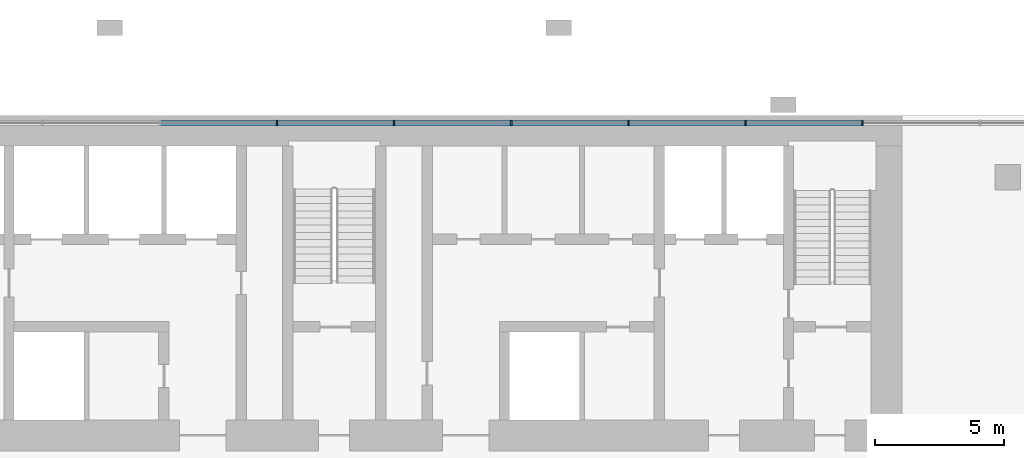
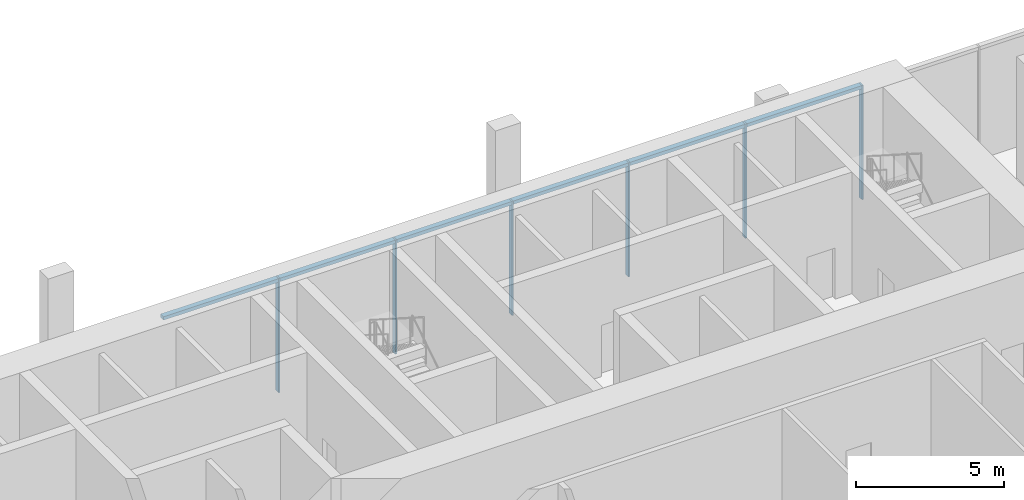
# One storey, part 6 of 20: 12 members, 1 element without a shape of its own.
"""IFC4 building model written with IfcOpenShell, lengths in metres."""

from ifc_helpers import new_model, si_unit, direction, frame, origin, origin_2d, place, context, subcontext, project, spatial, rectangle, extrude, material, material_profile, profile_set, type_object, element, aggregate, save


model = new_model("IFC4")

# Units and contexts
model_context = context("Model", 3, precision=1e-05, world=origin(), true_north=direction((0.0, 1.0)))
body_context = subcontext(model_context, "Body", "Model", "MODEL_VIEW")
ifc_project = project(units=[si_unit("LENGTHUNIT", "METRE"), si_unit("AREAUNIT", "SQUARE_METRE"), si_unit("VOLUMEUNIT", "CUBIC_METRE"), si_unit("PLANEANGLEUNIT", "RADIAN"), si_unit("MASSUNIT", "GRAM", prefix="KILO")], contexts=[model_context])

# Site, building, storey
site_placement = place(None, origin())
site = spatial("IfcSite", under=ifc_project, at=site_placement, CompositionType="ELEMENT")
building_placement = place(site_placement, origin())
building = spatial("IfcBuilding", under=site, at=building_placement, Name="Bicima Exchange Tower", CompositionType="ELEMENT")
storey_placement = place(building_placement, frame((0.0, 0.0, 25.0)))
storey = spatial("IfcBuildingStorey", under=building, at=storey_placement, Name="L04", CompositionType="ELEMENT", Elevation=25.0)

# Curtain wall, members
ifc_material = material(Name="Anodised bronze aluminium", Category="aluminium")
curtain_wall_type = type_object("IfcCurtainWallType", Name="Lobby glazing", PredefinedType="NOTDEFINED", material=ifc_material)
curtain_wall_placement = place(storey_placement, origin())
curtain_wall = element("IfcCurtainWall", 1, at=curtain_wall_placement, inside=storey, type_object=curtain_wall_type, Name="Podium glazing L04 north 1", PredefinedType="NOTDEFINED")
ifc_material_profile_1 = material_profile(ifc_material, rectangle(XDim=0.199951171875, YDim=0.06005859375, at=origin_2d()))
ifc_profile_set_1 = profile_set([ifc_material_profile_1], Name="Anodised bronze aluminium")
member_type_1 = type_object("IfcMemberType", Name="Lobby glazing mullion 60 x 200", PredefinedType="MULLION", material=ifc_profile_set_1)
member_1_placement = place(storey_placement, frame((20.475341796875, -0.300048828125, 0.0), z_axis=(0.0, 0.0, 1.0), x_axis=(0.0, -1.0, 0.0)))
member_1 = element("IfcMember", 2, at=member_1_placement, type_object=member_type_1, Name="Lobby glazing mullion 6", PredefinedType="MULLION", context=body_context, shape_type="SweptSolid", body=[
    extrude(rectangle(XDim=0.199951171875, YDim=0.06005859375, at=origin_2d()), origin(), (0.0, 0.0, 1.0), 4.699951171875),
])
member_2_placement = place(storey_placement, frame((15.936279296875, -0.300048828125, 0.0), z_axis=(0.0, 0.0, 1.0), x_axis=(0.0, -1.0, 0.0)))
member_2 = element("IfcMember", 3, at=member_2_placement, type_object=member_type_1, Name="Lobby glazing mullion 7", PredefinedType="MULLION", context=body_context, shape_type="SweptSolid", body=[
    extrude(rectangle(XDim=0.199951171875, YDim=0.06005859375, at=origin_2d()), origin(), (0.0, 0.0, 1.0), 4.699951171875),
])
member_3_placement = place(storey_placement, frame((11.3974609375, -0.300048828125, 0.0), z_axis=(0.0, 0.0, 1.0), x_axis=(0.0, -1.0, 0.0)))
member_3 = element("IfcMember", 4, at=member_3_placement, type_object=member_type_1, Name="Lobby glazing mullion 8", PredefinedType="MULLION", context=body_context, shape_type="SweptSolid", body=[
    extrude(rectangle(XDim=0.199951171875, YDim=0.06005859375, at=origin_2d()), origin(), (0.0, 0.0, 1.0), 4.699951171875),
])
member_4_placement = place(storey_placement, frame((6.8583984375, -0.300048828125, 0.0), z_axis=(0.0, 0.0, 1.0), x_axis=(0.0, -1.0, 0.0)))
member_4 = element("IfcMember", 5, at=member_4_placement, type_object=member_type_1, Name="Lobby glazing mullion 9", PredefinedType="MULLION", context=body_context, shape_type="SweptSolid", body=[
    extrude(rectangle(XDim=0.199951171875, YDim=0.06005859375, at=origin_2d()), origin(), (0.0, 0.0, 1.0), 4.699951171875),
])
member_5_placement = place(storey_placement, frame((2.319580078125, -0.300048828125, 0.0), z_axis=(0.0, 0.0, 1.0), x_axis=(0.0, -1.0, 0.0)))
member_5 = element("IfcMember", 6, at=member_5_placement, type_object=member_type_1, Name="Lobby glazing mullion 10", PredefinedType="MULLION", context=body_context, shape_type="SweptSolid", body=[
    extrude(rectangle(XDim=0.199951171875, YDim=0.06005859375, at=origin_2d()), origin(), (0.0, 0.0, 1.0), 4.699951171875),
])
member_6_placement = place(storey_placement, frame((-2.219482421875, -0.300048828125, 0.0), z_axis=(0.0, 0.0, 1.0), x_axis=(0.0, -1.0, 0.0)))
member_6 = element("IfcMember", 7, at=member_6_placement, type_object=member_type_1, Name="Lobby glazing mullion 11", PredefinedType="MULLION", context=body_context, shape_type="SweptSolid", body=[
    extrude(rectangle(XDim=0.199951171875, YDim=0.06005859375, at=origin_2d()), origin(), (0.0, 0.0, 1.0), 4.699951171875),
])
ifc_material_profile_2 = material_profile(ifc_material, rectangle(XDim=0.199951171875, YDim=0.139892578125, at=origin_2d()))
ifc_profile_set_2 = profile_set([ifc_material_profile_2], Name="Anodised bronze aluminium")
member_type_2 = type_object("IfcMemberType", Name="Lobby glazing transom 140 x 200", PredefinedType="USERDEFINED", material=ifc_profile_set_2)
member_7_placement = place(storey_placement, frame((20.4453125, -0.300048828125, 4.6298828125), z_axis=(-1.0, 0.0, 0.0), x_axis=(0.0, -1.0, 0.0)))
member_7 = element("IfcMember", 8, at=member_7_placement, type_object=member_type_2, Name="Lobby glazing transom 6.1", ObjectType="TRANSOM", PredefinedType="USERDEFINED", context=body_context, shape_type="SweptSolid", body=[
    extrude(rectangle(XDim=0.199951171875, YDim=0.139892578125, at=origin_2d()), origin(), (0.0, 0.0, 1.0), 4.47900390625),
])
member_8_placement = place(storey_placement, frame((15.90625, -0.300048828125, 4.6298828125), z_axis=(-1.0, 0.0, 0.0), x_axis=(0.0, -1.0, 0.0)))
member_8 = element("IfcMember", 9, at=member_8_placement, type_object=member_type_2, Name="Lobby glazing transom 7.1", ObjectType="TRANSOM", PredefinedType="USERDEFINED", context=body_context, shape_type="SweptSolid", body=[
    extrude(rectangle(XDim=0.199951171875, YDim=0.139892578125, at=origin_2d()), origin(), (0.0, 0.0, 1.0), 4.478759765625),
])
member_9_placement = place(storey_placement, frame((11.367431640625, -0.300048828125, 4.6298828125), z_axis=(-1.0, 0.0, 0.0), x_axis=(0.0, -1.0, 0.0)))
member_9 = element("IfcMember", 10, at=member_9_placement, type_object=member_type_2, Name="Lobby glazing transom 8.1", ObjectType="TRANSOM", PredefinedType="USERDEFINED", context=body_context, shape_type="SweptSolid", body=[
    extrude(rectangle(XDim=0.199951171875, YDim=0.139892578125, at=origin_2d()), origin(), (0.0, 0.0, 1.0), 4.47900390625),
])
member_10_placement = place(storey_placement, frame((6.828369140625, -0.300048828125, 4.6298828125), z_axis=(-1.0, 0.0, 0.0), x_axis=(0.0, -1.0, 0.0)))
member_10 = element("IfcMember", 11, at=member_10_placement, type_object=member_type_2, Name="Lobby glazing transom 9.1", ObjectType="TRANSOM", PredefinedType="USERDEFINED", context=body_context, shape_type="SweptSolid", body=[
    extrude(rectangle(XDim=0.199951171875, YDim=0.139892578125, at=origin_2d()), origin(), (0.0, 0.0, 1.0), 4.478759765625),
])
member_11_placement = place(storey_placement, frame((2.28955078125, -0.300048828125, 4.6298828125), z_axis=(-1.0, 0.0, 0.0), x_axis=(0.0, -1.0, 0.0)))
member_11 = element("IfcMember", 12, at=member_11_placement, type_object=member_type_2, Name="Lobby glazing transom 10.1", ObjectType="TRANSOM", PredefinedType="USERDEFINED", context=body_context, shape_type="SweptSolid", body=[
    extrude(rectangle(XDim=0.199951171875, YDim=0.139892578125, at=origin_2d()), origin(), (0.0, 0.0, 1.0), 4.47900390625),
])
member_12_placement = place(storey_placement, frame((-2.24951171875, -0.300048828125, 4.6298828125), z_axis=(-1.0, 0.0, 0.0), x_axis=(0.0, -1.0, 0.0)))
member_12 = element("IfcMember", 13, at=member_12_placement, type_object=member_type_2, Name="Lobby glazing transom 11.1", ObjectType="TRANSOM", PredefinedType="USERDEFINED", context=body_context, shape_type="SweptSolid", body=[
    extrude(rectangle(XDim=0.199951171875, YDim=0.139892578125, at=origin_2d()), origin(), (0.0, 0.0, 1.0), 4.47900390625),
])
aggregate(curtain_wall, [member_1, member_2, member_3, member_4, member_5, member_6, member_7, member_8, member_9, member_10, member_11, member_12])

save(model, "model.ifc")
